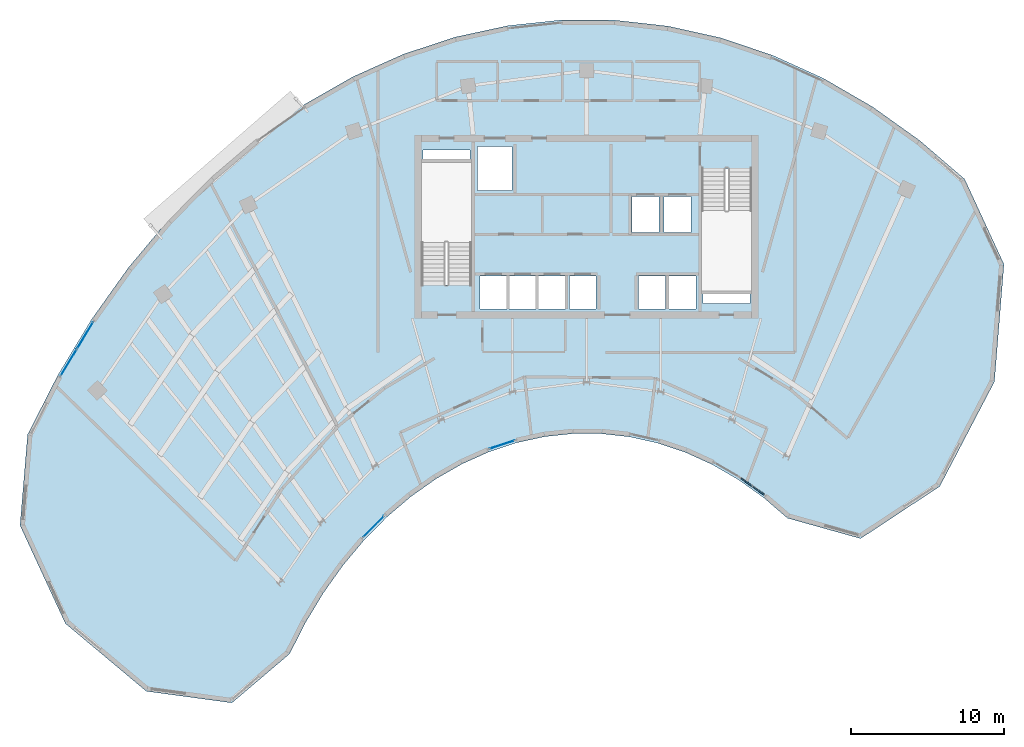
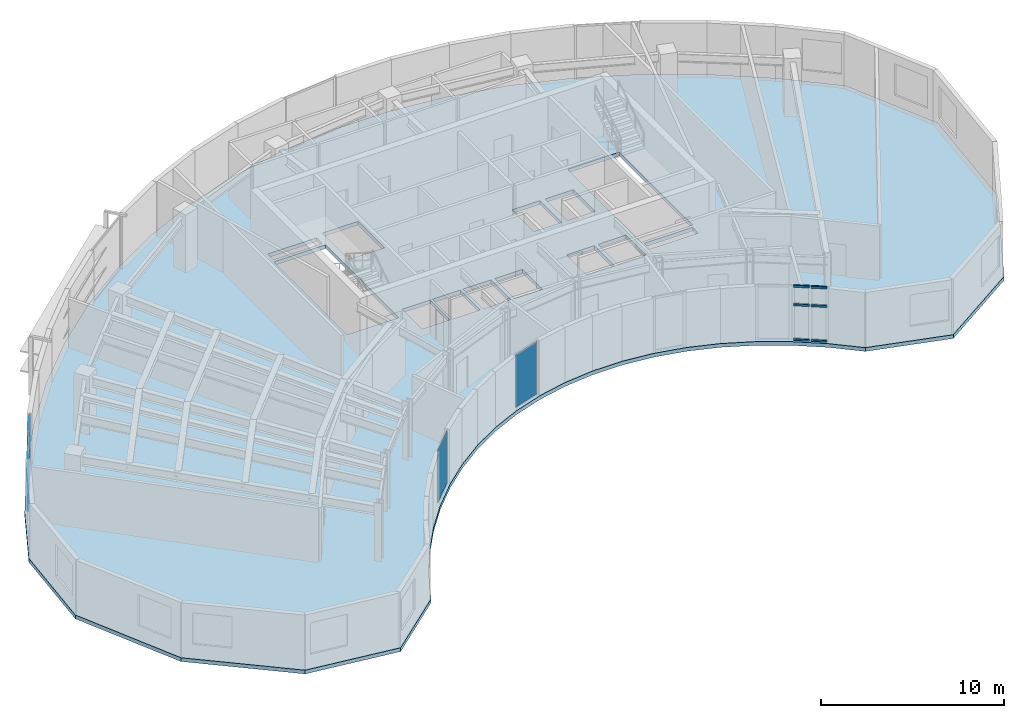
# One storey, part 5 of 12: 6 members, 6 plates, 1 slab, 4 elements without a shape of their own.
"""IFC4 building model written with IfcOpenShell, lengths in metres."""

from ifc_helpers import new_model, si_unit, direction, frame, origin, origin_2d, place, context, subcontext, project, spatial, polyline, rectangle, outline, extrude, source, transform, mapped, material, layer, layer_set, material_profile, profile_set, type_object, element, aggregate, save


model = new_model("IFC4")

# Units and contexts
model_context = context("Model", 3, precision=1e-05, world=origin(), true_north=direction((0.0, 1.0)))
body_context = subcontext(model_context, "Body", "Model", "MODEL_VIEW")
ifc_project = project(units=[si_unit("LENGTHUNIT", "METRE"), si_unit("AREAUNIT", "SQUARE_METRE"), si_unit("VOLUMEUNIT", "CUBIC_METRE"), si_unit("PLANEANGLEUNIT", "RADIAN"), si_unit("MASSUNIT", "GRAM", prefix="KILO")], contexts=[model_context])

# Site, building, storey
site_placement = place(None, origin())
site = spatial("IfcSite", under=ifc_project, at=site_placement, CompositionType="ELEMENT")
building_placement = place(site_placement, origin())
building = spatial("IfcBuilding", under=site, at=building_placement, Name="Breltana Convention Tower", CompositionType="ELEMENT")
storey_placement = place(building_placement, frame((0.0, 0.0, 246.89990234375)))
storey = spatial("IfcBuildingStorey", under=building, at=storey_placement, Name="L60", CompositionType="ELEMENT", Elevation=246.89990234375)

# Curtain wall, members
ifc_material_1 = material(Name="Aluminium Anodised Bronze Frame", Category="aluminium")
ifc_layer_1 = layer(ifc_material_1, 0.18994140625, Name="Aluminium Anodised Bronze Frame")
ifc_layer_set_1 = layer_set([ifc_layer_1], Name="Aluminium Anodised Bronze Frame")
curtain_wall_type_1 = type_object("IfcCurtainWallType", Name="CW-SYS-1", PredefinedType="NOTDEFINED", material=ifc_layer_set_1)
curtain_wall_1_placement = place(storey_placement, origin())
curtain_wall_1 = element("IfcCurtainWall", 1, at=curtain_wall_1_placement, inside=storey, type_object=curtain_wall_type_1, Name="L60 inner south-court glazing 1", PredefinedType="NOTDEFINED")
ifc_material_2 = material(Name="Aluminium Anodised Bronze", Category="aluminium")
ifc_material_profile = material_profile(ifc_material_2, rectangle(XDim=0.080078125, YDim=0.139892578125, at=origin_2d()), Name="CWT-80X140")
ifc_profile_set = profile_set([ifc_material_profile], Name="Aluminium Anodised Bronze")
member_type = type_object("IfcMemberType", Name="CWT-140", PredefinedType="USERDEFINED", material=ifc_profile_set)
shared_shape_1 = source(origin(), body_context, "Body", "SweptSolid", [
    extrude(rectangle(XDim=0.080078125, YDim=0.139892578125, at=origin_2d()), origin(), (0.0, 0.0, 1.0), 0.88720703125),
])
member_1_placement = place(storey_placement, frame((59.6103515625, 48.673583984375, 0.0400390625), z_axis=(-0.814198008079, 0.580587292007, 0.0), x_axis=(-0.580587292007, -0.814198008079, 0.0)))
member_1 = element("IfcMember", 2, at=member_1_placement, type_object=member_type, Name="CW-01 transom 1.1", ObjectType="TRANSOM", PredefinedType="USERDEFINED", context=body_context, shape_type="MappedRepresentation", body=[
    mapped(shared_shape_1, transform((0.0, 0.0, 0.0), scale=1.0)),
])
member_2_placement = place(storey_placement, frame((59.6103515625, 48.673583984375, 2.37255859375), z_axis=(-0.814198008079, 0.580587292007, 0.0), x_axis=(-0.580587292007, -0.814198008079, 0.0)))
member_2 = element("IfcMember", 3, at=member_2_placement, type_object=member_type, Name="CW-01 transom 1.2", ObjectType="TRANSOM", PredefinedType="USERDEFINED", context=body_context, shape_type="MappedRepresentation", body=[
    mapped(shared_shape_1, transform((0.0, 0.0, 0.0), scale=1.0)),
])
member_3_placement = place(storey_placement, frame((59.6103515625, 48.673583984375, 3.610107421875), z_axis=(-0.814198008079, 0.580587292007, 0.0), x_axis=(-0.580587292007, -0.814198008079, 0.0)))
member_3 = element("IfcMember", 4, at=member_3_placement, type_object=member_type, Name="CW-01 transom 1.3", ObjectType="TRANSOM", PredefinedType="USERDEFINED", context=body_context, shape_type="MappedRepresentation", body=[
    mapped(shared_shape_1, transform((0.0, 0.0, 0.0), scale=1.0)),
])
shared_shape_2 = source(origin(), body_context, "Body", "SweptSolid", [
    extrude(rectangle(XDim=0.080078125, YDim=0.139892578125, at=origin_2d()), origin(), (0.0, 0.0, 1.0), 0.887451171875),
])
member_4_placement = place(storey_placement, frame((58.82275390625, 49.235107421875, 0.0400390625), z_axis=(-0.814067936788, 0.58076965683, 0.0), x_axis=(-0.58076965683, -0.814067936788, 0.0)))
member_4 = element("IfcMember", 5, at=member_4_placement, type_object=member_type, Name="CW-01 transom 2.1", ObjectType="TRANSOM", PredefinedType="USERDEFINED", context=body_context, shape_type="MappedRepresentation", body=[
    mapped(shared_shape_2, transform((0.0, 0.0, 0.0), scale=1.0)),
])
member_5_placement = place(storey_placement, frame((58.82275390625, 49.235107421875, 2.37255859375), z_axis=(-0.814067936788, 0.58076965683, 0.0), x_axis=(-0.58076965683, -0.814067936788, 0.0)))
member_5 = element("IfcMember", 6, at=member_5_placement, type_object=member_type, Name="CW-01 transom 2.2", ObjectType="TRANSOM", PredefinedType="USERDEFINED", context=body_context, shape_type="MappedRepresentation", body=[
    mapped(shared_shape_2, transform((0.0, 0.0, 0.0), scale=1.0)),
])
member_6_placement = place(storey_placement, frame((58.82275390625, 49.235107421875, 3.610107421875), z_axis=(-0.814067936788, 0.58076965683, 0.0), x_axis=(-0.58076965683, -0.814067936788, 0.0)))
member_6 = element("IfcMember", 7, at=member_6_placement, type_object=member_type, Name="CW-01 transom 2.3", ObjectType="TRANSOM", PredefinedType="USERDEFINED", context=body_context, shape_type="MappedRepresentation", body=[
    mapped(shared_shape_2, transform((0.0, 0.0, 0.0), scale=1.0)),
])
aggregate(curtain_wall_1, [member_1, member_2, member_3, member_4, member_5, member_6])

# Slab
ifc_material_3 = material(Name="Concrete C40/50", Category="concrete")
ifc_layer_2 = layer(ifc_material_3, 0.25, Name="Concrete C40/50")
ifc_layer_set_2 = layer_set([ifc_layer_2], Name="Concrete C40/50")
slab_type = type_object("IfcSlabType", Name="SL-OFF-250", PredefinedType="FLOOR", material=ifc_layer_set_2)
slab_placement = place(storey_placement, frame((0.0, 0.0, -0.25)))
element("IfcSlab", 8, at=slab_placement, inside=storey, type_object=slab_type, Name="L60 Suspended Structural Floor Slab", PredefinedType="FLOOR", context=body_context, shape_type="SweptSolid", body=[
    extrude(outline(polyline([(72.72119140625, 69.309326171875), (69.777587890625, 71.839111328125), (66.690673828125, 74.040771484375), (63.480712890625, 75.89990234375), (60.1689453125, 77.404296875), (56.777099609375, 78.543701171875), (53.3271484375, 79.31103515625), (49.84228515625, 79.701171875), (46.345458984375, 79.71142578125), (42.859375, 79.341796875), (39.4072265625, 78.594482421875), (36.01171875, 77.474853515625), (32.69482421875, 75.989990234375), (29.47900390625, 74.149658203125), (26.385009765625, 71.966064453125), (23.43310546875, 69.453369140625), (20.64306640625, 66.62841796875), (18.033203125, 63.509765625), (15.62060546875, 60.11767578125), (13.4208984375, 56.474853515625), (11.44921875, 52.60498046875), (10.952392578125, 46.661865234375), (13.9169921875, 40.24951171875), (19.210693359375, 35.81689453125), (24.811279296875, 35.0576171875), (28.57958984375, 38.260986328125), (29.62744140625, 40.317138671875), (30.796142578125, 42.252685546875), (32.077880859375, 44.05517578125), (33.464599609375, 45.712158203125), (34.947021484375, 47.213134765625), (36.515380859375, 48.548095703125), (38.1591796875, 49.708251953125), (39.8681640625, 50.68603515625), (41.63037109375, 51.47509765625), (43.4345703125, 52.070068359375), (45.268798828125, 52.467041015625), (47.120849609375, 52.663330078125), (48.97900390625, 52.657958984375), (50.83056640625, 52.45068359375), (52.663330078125, 52.04296875), (54.465576171875, 51.4375), (56.225341796875, 50.63818359375), (57.930908203125, 49.650390625), (59.57080078125, 48.480712890625), (61.135009765625, 47.136474609375), (65.921142578125, 45.801025390625), (71.092041015625, 49.210205078125), (74.67236328125, 56.06201171875), (75.294677734375, 63.7392578125), (72.72119140625, 69.309326171875)]), holes=[polyline([(37.199951171875, 62.385009765625), (40.469970703125, 62.385009765625), (40.469970703125, 70.39990234375), (37.199951171875, 70.39990234375), (37.199951171875, 62.385009765625)]), polyline([(55.530029296875, 62.0), (58.800048828125, 62.0), (58.800048828125, 70.014892578125), (55.530029296875, 70.014892578125), (55.530029296875, 62.0)]), polyline([(41.0400390625, 60.800048828125), (42.800048828125, 60.800048828125), (42.800048828125, 62.97998046875), (41.0400390625, 62.97998046875), (41.0400390625, 60.800048828125)]), polyline([(42.93994140625, 60.800048828125), (44.699951171875, 60.800048828125), (44.699951171875, 62.97998046875), (42.93994140625, 62.97998046875), (42.93994140625, 60.800048828125)]), polyline([(44.8701171875, 60.800048828125), (46.6298828125, 60.800048828125), (46.6298828125, 62.97998046875), (44.8701171875, 62.97998046875), (44.8701171875, 60.800048828125)]), polyline([(46.8701171875, 60.800048828125), (48.6298828125, 60.800048828125), (48.6298828125, 62.97998046875), (46.8701171875, 62.97998046875), (46.8701171875, 60.800048828125)]), polyline([(51.39990234375, 60.800048828125), (53.159912109375, 60.800048828125), (53.159912109375, 62.97998046875), (51.39990234375, 62.97998046875), (51.39990234375, 60.800048828125)]), polyline([(53.39990234375, 60.800048828125), (55.159912109375, 60.800048828125), (55.159912109375, 62.97998046875), (53.39990234375, 62.97998046875), (53.39990234375, 60.800048828125)]), polyline([(50.969970703125, 65.800048828125), (52.72998046875, 65.800048828125), (52.72998046875, 68.179931640625), (50.969970703125, 68.179931640625), (50.969970703125, 65.800048828125)]), polyline([(53.070068359375, 65.800048828125), (54.830078125, 65.800048828125), (54.830078125, 68.179931640625), (53.070068359375, 68.179931640625), (53.070068359375, 65.800048828125)]), polyline([(40.8798828125, 68.550048828125), (43.1201171875, 68.550048828125), (43.1201171875, 71.449951171875), (40.8798828125, 71.449951171875), (40.8798828125, 68.550048828125)]), polyline([(37.300048828125, 70.60009765625), (40.3798828125, 70.60009765625), (40.3798828125, 71.219970703125), (37.300048828125, 71.219970703125), (37.300048828125, 70.60009765625)]), polyline([(55.6201171875, 61.179931640625), (58.699951171875, 61.179931640625), (58.699951171875, 61.800048828125), (55.6201171875, 61.800048828125), (55.6201171875, 61.179931640625)])]), origin(), (0.0, 0.0, 1.0), 0.25),
])

# Curtain wall, plates
ifc_layer_3 = layer(ifc_material_1, 0.219970703125, Name="Aluminium Anodised Bronze Frame")
ifc_layer_set_3 = layer_set([ifc_layer_3], Name="Aluminium Anodised Bronze Frame")
curtain_wall_type_2 = type_object("IfcCurtainWallType", Name="CW-SYS-4", PredefinedType="NOTDEFINED", material=ifc_layer_set_3)
curtain_wall_2_placement = place(storey_placement, origin())
curtain_wall_2 = element("IfcCurtainWall", 9, at=curtain_wall_2_placement, inside=storey, type_object=curtain_wall_type_2, Name="L60 outer double-skin inner glazing 1", PredefinedType="NOTDEFINED")
ifc_material_4 = material(Name="Glass Low-E Double Glazing", Category="glass")
ifc_layer_4 = layer(ifc_material_4, 0.028076171875, Name="Glass Low-E Double Glazing")
ifc_layer_set_4 = layer_set([ifc_layer_4], Name="Glass Low-E Double Glazing")
plate_type = type_object("IfcPlateType", Name="CWP-IGU-28", PredefinedType="CURTAIN_PANEL", material=ifc_layer_set_4)
shared_shape_3 = source(origin(), body_context, "Body", "SweptSolid", [
    extrude(rectangle(XDim=2.001220703125, YDim=0.028076171875, at=origin_2d()), origin(), (0.0, 0.0, 1.0), 2.267578125),
])
plate_1_placement = place(storey_placement, frame((14.136962890625, 57.312255859375, 0.070068359375), z_axis=(0.0, 0.0, 1.0), x_axis=(0.516875291963, 0.856060706117, 0.0)))
plate_1 = element("IfcPlate", 10, at=plate_1_placement, type_object=plate_type, Name="CW-04 panel 1.1", PredefinedType="CURTAIN_PANEL", context=body_context, shape_type="MappedRepresentation", body=[
    mapped(shared_shape_3, transform((0.0, 0.0, 0.0), scale=1.0)),
])
plate_2_placement = place(storey_placement, frame((15.212646484375, 59.093994140625, 0.070068359375), z_axis=(0.0, 0.0, 1.0), x_axis=(0.516875291963, 0.856060706117, 0.0)))
plate_2 = element("IfcPlate", 11, at=plate_2_placement, type_object=plate_type, Name="CW-04 panel 2.1", PredefinedType="CURTAIN_PANEL", context=body_context, shape_type="MappedRepresentation", body=[
    mapped(shared_shape_3, transform((0.0, 0.0, 0.0), scale=1.0)),
])
shared_shape_4 = source(origin(), body_context, "Body", "SweptSolid", [
    extrude(rectangle(XDim=2.001220703125, YDim=0.028076171875, at=origin_2d()), origin(), (0.0, 0.0, 1.0), 1.172607421875),
])
plate_3_placement = place(storey_placement, frame((14.136962890625, 57.312255859375, 2.40771484375), z_axis=(0.0, 0.0, 1.0), x_axis=(0.516875291963, 0.856060706117, 0.0)))
plate_3 = element("IfcPlate", 12, at=plate_3_placement, type_object=plate_type, Name="CW-04 panel 1.2", PredefinedType="CURTAIN_PANEL", context=body_context, shape_type="MappedRepresentation", body=[
    mapped(shared_shape_4, transform((0.0, 0.0, 0.0), scale=1.0)),
])
plate_4_placement = place(storey_placement, frame((15.212646484375, 59.093994140625, 2.40771484375), z_axis=(0.0, 0.0, 1.0), x_axis=(0.516875291963, 0.856060706117, 0.0)))
plate_4 = element("IfcPlate", 13, at=plate_4_placement, type_object=plate_type, Name="CW-04 panel 2.2", PredefinedType="CURTAIN_PANEL", context=body_context, shape_type="MappedRepresentation", body=[
    mapped(shared_shape_4, transform((0.0, 0.0, 0.0), scale=1.0)),
])
aggregate(curtain_wall_2, [plate_1, plate_3, plate_2, plate_4])

# Curtain wall, plate
curtain_wall_3_placement = place(storey_placement, origin())
curtain_wall_3 = element("IfcCurtainWall", 14, at=curtain_wall_3_placement, inside=storey, type_object=curtain_wall_type_1, Name="L60 inner south-court glazing 4", PredefinedType="NOTDEFINED")
shared_shape_5 = source(origin(), body_context, "Body", "SweptSolid", [
    extrude(rectangle(XDim=1.73974609375, YDim=0.028076171875, at=origin_2d()), origin(), (0.0, 0.0, 1.0), 3.489990234375),
])
plate_5_placement = place(storey_placement, frame((42.47607421875, 51.943359375, 0.080078125), z_axis=(0.0, 0.0, 1.0), x_axis=(-0.949689096646, -0.313194220432, 0.0)))
plate_5 = element("IfcPlate", 15, at=plate_5_placement, type_object=plate_type, Name="CW-01 panel 1.1", PredefinedType="CURTAIN_PANEL", context=body_context, shape_type="MappedRepresentation", body=[
    mapped(shared_shape_5, transform((0.0, 0.0, 0.0), scale=1.0)),
])
aggregate(curtain_wall_3, [plate_5])

curtain_wall_4_placement = place(storey_placement, origin())
curtain_wall_4 = element("IfcCurtainWall", 16, at=curtain_wall_4_placement, inside=storey, type_object=curtain_wall_type_1, Name="L60 inner south-court glazing 5", PredefinedType="NOTDEFINED")
shared_shape_6 = source(origin(), body_context, "Body", "SweptSolid", [
    extrude(rectangle(XDim=1.94970703125, YDim=0.028076171875, at=origin_2d()), origin(), (0.0, 0.0, 1.0), 3.489990234375),
])
plate_6_placement = place(storey_placement, frame((34.077880859375, 46.589111328125, 0.080078125), z_axis=(0.0, 0.0, 1.0), x_axis=(-0.702684669513, -0.711501409156, 0.0)))
plate_6 = element("IfcPlate", 17, at=plate_6_placement, type_object=plate_type, Name="CW-01 panel 1.1", PredefinedType="CURTAIN_PANEL", context=body_context, shape_type="MappedRepresentation", body=[
    mapped(shared_shape_6, transform((0.0, 0.0, 0.0), scale=1.0)),
])
aggregate(curtain_wall_4, [plate_6])

save(model, "model.ifc")
